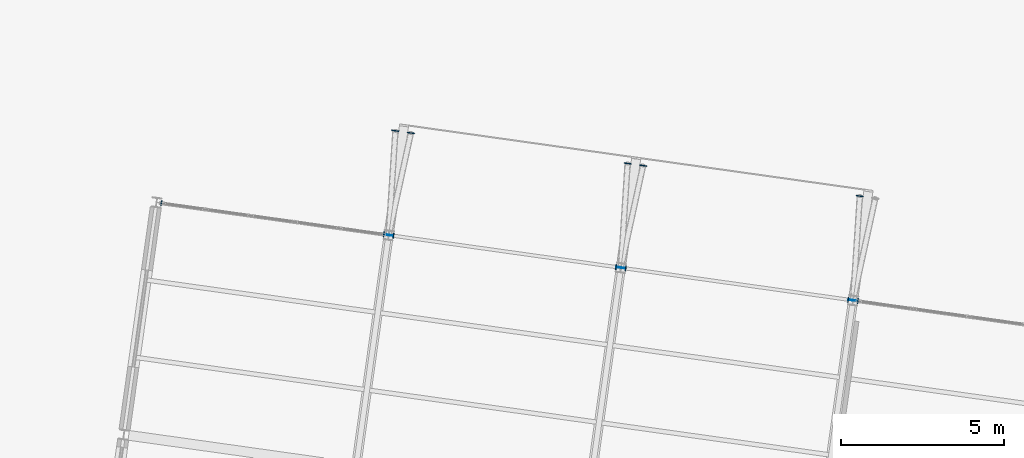
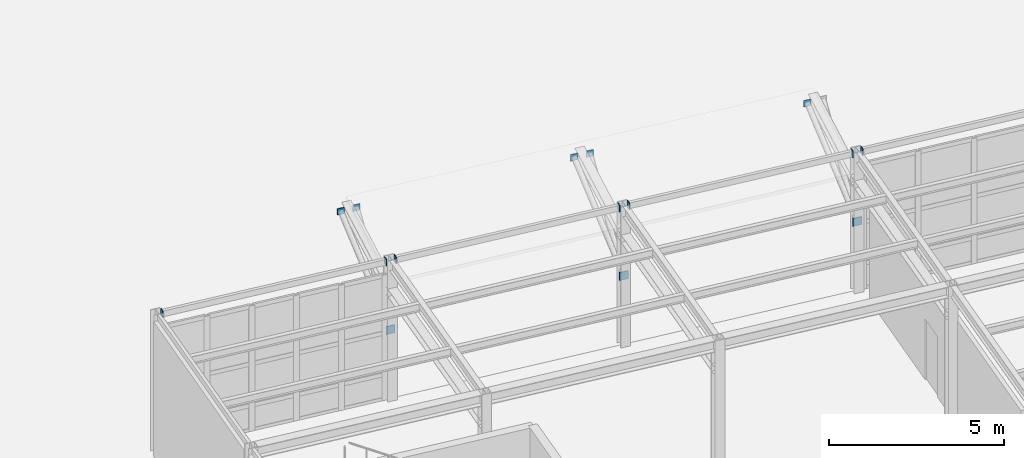
# One storey, part 39 of 57: 15 plates.
"""IFC4 building model written with IfcOpenShell, lengths in metres."""

from ifc_helpers import new_model, si_unit, direction, frame, origin, origin_2d, place, context, subcontext, project, spatial, rectangle, extrude, material, layer, layer_set, type_object, element, save


model = new_model("IFC4")

# Units and contexts
model_context = context("Model", 3, precision=1e-05, world=origin(), true_north=direction((0.0, 1.0)))
body_context = subcontext(model_context, "Body", "Model", "MODEL_VIEW")
ifc_project = project(units=[si_unit("LENGTHUNIT", "METRE"), si_unit("AREAUNIT", "SQUARE_METRE"), si_unit("VOLUMEUNIT", "CUBIC_METRE"), si_unit("PLANEANGLEUNIT", "RADIAN"), si_unit("MASSUNIT", "GRAM", prefix="KILO")], contexts=[model_context])

# Site, building, storey
site_placement = place(None, origin())
site = spatial("IfcSite", under=ifc_project, at=site_placement, CompositionType="ELEMENT")
building_placement = place(site_placement, origin())
building = spatial("IfcBuilding", under=site, at=building_placement, Name="Kharisveld Research Institute", CompositionType="ELEMENT")
storey_placement = place(building_placement, origin())
storey = spatial("IfcBuildingStorey", under=building, at=storey_placement, Name="L00", CompositionType="ELEMENT", Elevation=0.0)

# Plates
ifc_material_1 = material(Name="Steel S355JR", Category="steel")
ifc_layer_1 = layer(ifc_material_1, 0.01806640625)
ifc_layer_set_1 = layer_set([ifc_layer_1], Name="PL_CAP_B")
plate_type_1 = type_object("IfcPlateType", Name="PL_CAP_B", PredefinedType="SHEET", material=ifc_layer_set_1)
for number, where, z_axis, x_axis, name in (
    (1, (78.15478515625, 38.868896484375, 4.7001953125), (0.0, 0.0, 1.0), (0.990268068742, -0.13917310096, 0.0), "PLT:CAP:BM:V4:L00:U0_3:0"),
    (2, (84.987548828125, 37.90869140625, 4.7001953125), (0.0, 0.0, 1.0), (0.990268068742, -0.13917310096, 0.0), "PLT:CAP:BM:V4:L00:U0_3:1"),
    (3, (85.28466796875, 37.866943359375, 4.7001953125), (0.0, 0.0, 1.0), (0.990268068742, -0.13917310096, 0.0), "PLT:CAP:BM:V4:L00:U1_3:0"),
    (4, (92.117431640625, 36.906494140625, 4.7001953125), (0.0, 0.0, 1.0), (0.990268068742, -0.13917310096, 0.0), "PLT:CAP:BM:V4:L00:U1_3:1"),
    (5, (92.41455078125, 36.86474609375, 4.7001953125), (0.0, 0.0, 1.0), (0.990268068742, -0.13917310096, 0.0), "PLT:CAP:BM:V4:L00:U2_3:0"),
    (6, (99.247314453125, 35.904541015625, 4.7001953125), (0.0, 0.0, 1.0), (0.990268068742, -0.13917310096, 0.0), "PLT:CAP:BM:V4:L00:U2_3:1"),
    (7, (99.54443359375, 35.86279296875, 4.7001953125), (0.0, 0.0, 1.0), (0.990268068742, -0.13917310096, 0.0), "PLT:CAP:BM:V4:L00:U3_3:0"),
):
    element("IfcPlate", number, at=place(storey_placement, frame(where, z_axis=z_axis, x_axis=x_axis)), inside=storey, type_object=plate_type_1, Name=name, PredefinedType="SHEET", context=body_context, shape_type="SweptSolid", body=[
        extrude(rectangle(XDim=0.02392578125, YDim=0.159912109375, at=origin_2d()), origin(), (0.0, 0.0, 1.0), 0.239990234375),
    ])
for number, where, z_axis, x_axis, name in (
    (8, (85.34375, 41.090087890625, 4.41015625), (0.0, 0.0, 1.0), (0.990268068742, -0.13917310096, 0.0), "PLT:CAP:MEM:V4:L00:CAN_STRUT_1A:1"),
    (9, (85.819091796875, 41.023193359375, 4.41015625), (0.0, 0.0, 1.0), (0.990268068742, -0.13917310096, 0.0), "PLT:CAP:MEM:V4:L00:CAN_STRUT_1B:1"),
    (10, (92.4736328125, 40.087890625, 4.41015625), (0.0, 0.0, 1.0), (0.990268068742, -0.13917310096, 0.0), "PLT:CAP:MEM:V4:L00:CAN_STRUT_2A:1"),
    (11, (92.948974609375, 40.021240234375, 4.41015625), (0.0, 0.0, 1.0), (0.990268068742, -0.13917310096, 0.0), "PLT:CAP:MEM:V4:L00:CAN_STRUT_2B:1"),
    (12, (99.603515625, 39.0859375, 4.41015625), (0.0, 0.0, 1.0), (0.990268068742, -0.13917310096, 0.0), "PLT:CAP:MEM:V4:L00:CAN_STRUT_3A:1"),
):
    element("IfcPlate", number, at=place(storey_placement, frame(where, z_axis=z_axis, x_axis=x_axis)), inside=storey, type_object=plate_type_1, Name=name, PredefinedType="SHEET", context=body_context, shape_type="SweptSolid", body=[
        extrude(rectangle(XDim=0.219970703125, YDim=0.02392578125, at=origin_2d()), origin(), (0.0, 0.0, 1.0), 0.219970703125),
    ])
ifc_material_2 = material(Name="Steel S355JR", Category="steel")
ifc_layer_2 = layer(ifc_material_2, 0.02392578125)
ifc_layer_set_2 = layer_set([ifc_layer_2], Name="PL_GUS_C")
plate_type_2 = type_object("IfcPlateType", Name="PL_GUS_C", PredefinedType="USERDEFINED", material=ifc_layer_set_2)
for number, where, z_axis, x_axis, name in (
    (13, (85.135986328125, 37.8876953125, 2.259765625), (0.0, 0.0, 1.0), (0.990268068742, -0.13917310096, 0.0), "PLT:GUS:MEM:V4:L00:CAN_STRUT_1A:0"),
    (14, (92.26611328125, 36.8857421875, 2.259765625), (0.0, 0.0, 1.0), (0.990268068742, -0.13917310096, 0.0), "PLT:GUS:MEM:V4:L00:CAN_STRUT_2A:0"),
    (15, (99.39599609375, 35.883544921875, 2.259765625), (0.0, 0.0, 1.0), (0.990268068742, -0.13917310096, 0.0), "PLT:GUS:MEM:V4:L00:CAN_STRUT_3A:0"),
):
    element("IfcPlate", number, at=place(storey_placement, frame(where, z_axis=z_axis, x_axis=x_axis)), inside=storey, type_object=plate_type_2, Name=name, ObjectType="GUSSET PLATE", PredefinedType="USERDEFINED", context=body_context, shape_type="SweptSolid", body=[
        extrude(rectangle(XDim=0.280029296875, YDim=0.02392578125, at=origin_2d()), origin(), (0.0, 0.0, 1.0), 0.280029296875),
    ])

save(model, "model.ifc")
